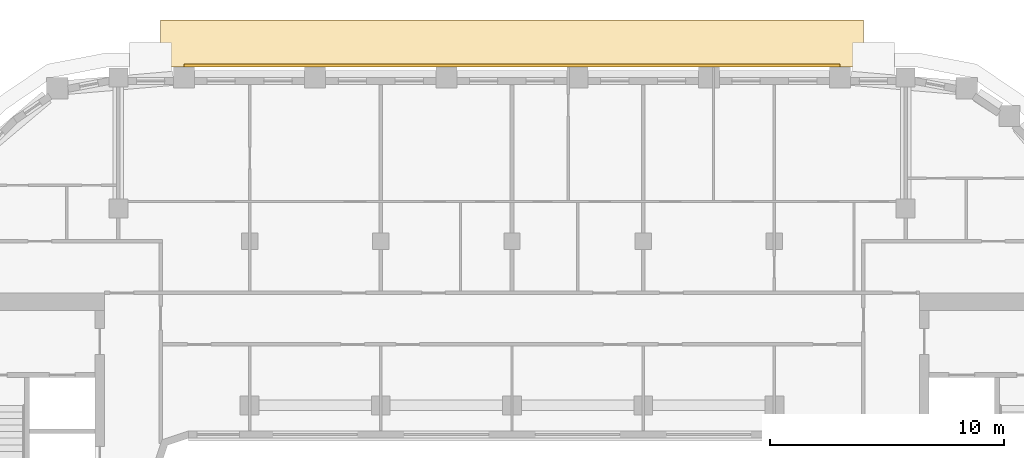
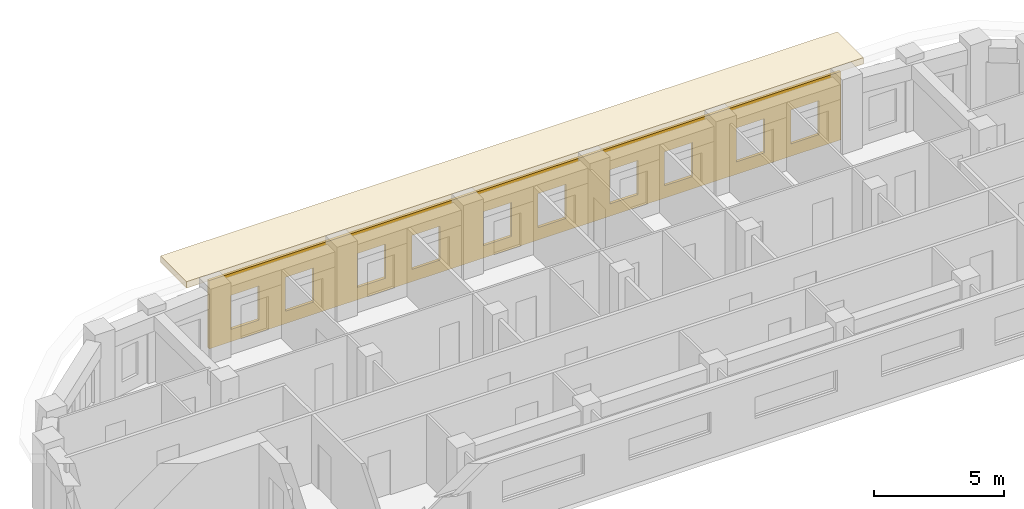
# One storey, part 20 of 21: 2 coverings.
"""IFC4 building model written with IfcOpenShell, lengths in metres."""

from ifc_helpers import new_model, si_unit, direction, frame, origin, place, context, subcontext, project, spatial, polyline, outline, extrude, material, layer, layer_set, type_object, element, save


model = new_model("IFC4")

# Units and contexts
model_context = context("Model", 3, precision=1e-05, world=origin(), true_north=direction((0.0, 1.0)))
body_context = subcontext(model_context, "Body", "Model", "MODEL_VIEW")
ifc_project = project(units=[si_unit("LENGTHUNIT", "METRE"), si_unit("AREAUNIT", "SQUARE_METRE"), si_unit("VOLUMEUNIT", "CUBIC_METRE"), si_unit("PLANEANGLEUNIT", "RADIAN"), si_unit("MASSUNIT", "GRAM", prefix="KILO")], contexts=[model_context])

# Site, building, storey
site_placement = place(None, origin())
site = spatial("IfcSite", under=ifc_project, at=site_placement, CompositionType="ELEMENT")
building_placement = place(site_placement, origin())
building = spatial("IfcBuilding", under=site, at=building_placement, Name="Kiln Ring Residences", CompositionType="ELEMENT")
storey_placement = place(building_placement, frame((0.0, 0.0, 195.89990234375)))
storey = spatial("IfcBuildingStorey", under=building, at=storey_placement, Name="L50", CompositionType="ELEMENT", Elevation=195.89990234375)

# Coverings
ifc_material_1 = material(Name="Brick masonry, dark clay brick", Category="masonry")
ifc_layer_1 = layer(ifc_material_1, 0.1201171875)
ifc_layer_set_1 = layer_set([ifc_layer_1], Name="RAINSCREEN PANEL 120")
covering_type_1 = type_object("IfcCoveringType", Name="RAINSCREEN PANEL 120", PredefinedType="CLADDING", material=ifc_layer_set_1)
covering_1_placement = place(storey_placement, frame((14.0, 22.909912109375, 0.0), z_axis=(0.0, 0.0, 1.0), x_axis=(-1.0, 0.0, 0.0)))
element("IfcCovering", 1, at=covering_1_placement, inside=storey, type_object=covering_type_1, Name="RAINSCREEN L50", PredefinedType="CLADDING", context=body_context, shape_type="SweptSolid", body=[
    extrude(outline(polyline([(0.0, 0.0), (28.0, 0.0), (28.0, 3.2001953125), (0.0, 3.2001953125), (0.0, 0.0)]), holes=[polyline([(0.967529296875, 0.580078125), (2.20751953125, 0.580078125), (2.20751953125, 2.170166015625), (0.967529296875, 2.170166015625), (0.967529296875, 0.580078125)]), polyline([(3.392578125, 0.580078125), (4.632568359375, 0.580078125), (4.632568359375, 2.170166015625), (3.392578125, 2.170166015625), (3.392578125, 0.580078125)]), polyline([(6.5673828125, 0.580078125), (7.8076171875, 0.580078125), (7.8076171875, 2.170166015625), (6.5673828125, 2.170166015625), (6.5673828125, 0.580078125)]), polyline([(8.992431640625, 2.170166015625), (8.992431640625, 0.580078125), (10.232421875, 0.580078125), (10.232421875, 2.170166015625), (8.992431640625, 2.170166015625)]), polyline([(12.179931640625, 2.170166015625), (12.179931640625, 0.580078125), (13.419921875, 0.580078125), (13.419921875, 2.170166015625), (12.179931640625, 2.170166015625)]), polyline([(14.592529296875, 0.580078125), (15.83251953125, 0.580078125), (15.83251953125, 2.170166015625), (14.592529296875, 2.170166015625), (14.592529296875, 0.580078125)]), polyline([(17.767578125, 0.580078125), (19.007568359375, 0.580078125), (19.007568359375, 2.170166015625), (17.767578125, 2.170166015625), (17.767578125, 0.580078125)]), polyline([(20.1923828125, 0.580078125), (21.4326171875, 0.580078125), (21.4326171875, 2.170166015625), (20.1923828125, 2.170166015625), (20.1923828125, 0.580078125)]), polyline([(23.367431640625, 2.170166015625), (23.367431640625, 0.580078125), (24.607421875, 0.580078125), (24.607421875, 2.170166015625), (23.367431640625, 2.170166015625)]), polyline([(25.79248046875, 2.170166015625), (25.79248046875, 0.580078125), (27.032470703125, 0.580078125), (27.032470703125, 2.170166015625), (25.79248046875, 2.170166015625)])]), frame((0.0, 0.06005859375, 0.0), z_axis=(0.0, -1.0, 0.0), x_axis=(1.0, 0.0, 0.0)), (0.0, 0.0, 1.0), 0.1201171875),
])
ifc_material_2 = material(Name="Black powder-coated steel", Category="steel")
ifc_layer_2 = layer(ifc_material_2, 0.300048828125)
ifc_layer_set_2 = layer_set([ifc_layer_2], Name="SUNSHADE BAND 2000")
covering_type_2 = type_object("IfcCoveringType", Name="SUNSHADE BAND 2000", PredefinedType="CLADDING", material=ifc_layer_set_2)
covering_2_placement = place(storey_placement, frame((0.0, 0.0, 3.2001953125)))
element("IfcCovering", 2, at=covering_2_placement, inside=storey, type_object=covering_type_2, Name="SUNSHADE BAND L50", PredefinedType="CLADDING", context=body_context, shape_type="SweptSolid", body=[
    extrude(outline(polyline([(15.0, 24.85009765625), (-15.0, 24.85009765625), (-15.0, 22.85009765625), (15.0, 22.85009765625), (15.0, 24.85009765625)])), origin(), (0.0, 0.0, 1.0), 0.2998046875),
])

save(model, "model.ifc")
